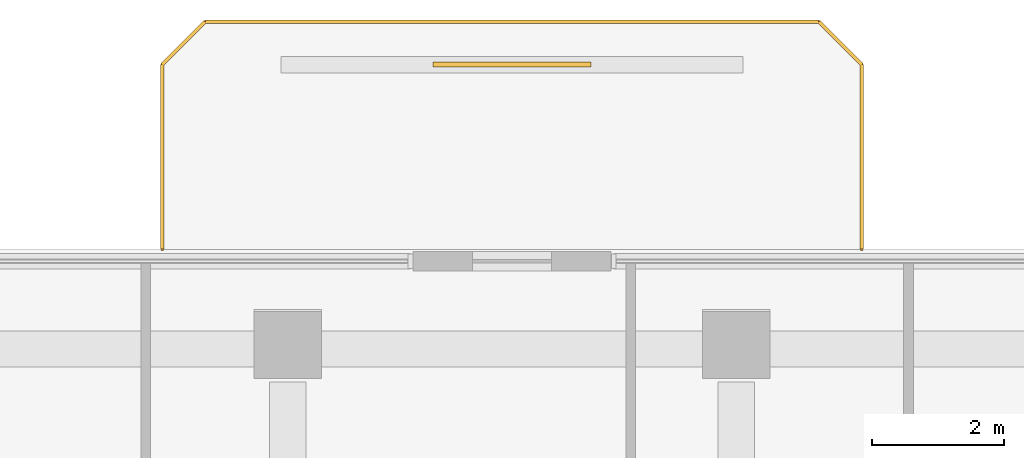
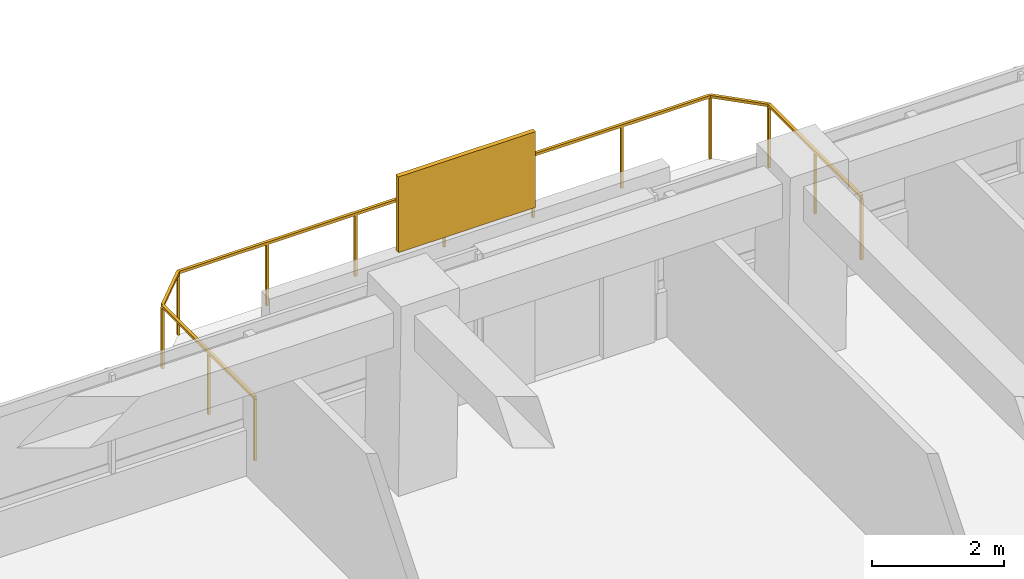
# One storey, part 13 of 13: 1 railing, 1 shading device.
"""IFC4 building model written with IfcOpenShell, lengths in metres."""

from ifc_helpers import new_model, si_unit, derived_unit, direction, frame, origin, origin_2d, place, context, subcontext, project, spatial, rectangle, extrude, material, layer, layer_set, type_object, element, save


model = new_model("IFC4")

# Units and contexts
model_context = context("Model", 3, precision=1e-05, world=origin(), true_north=direction((0.0, 1.0)))
body_context = subcontext(model_context, "Body", "Model", "MODEL_VIEW")
ifc_project = project(units=[si_unit("LENGTHUNIT", "METRE"), si_unit("AREAUNIT", "SQUARE_METRE"), si_unit("VOLUMEUNIT", "CUBIC_METRE"), si_unit("PLANEANGLEUNIT", "RADIAN"), si_unit("MASSUNIT", "GRAM", prefix="KILO"), derived_unit("THERMALTRANSMITTANCEUNIT", [(si_unit("POWERUNIT", "WATT"), 1), (si_unit("LENGTHUNIT", "METRE"), -2), (si_unit("THERMODYNAMICTEMPERATUREUNIT", "KELVIN"), -1)])], contexts=[model_context])

# Site, building, storey
site_placement = place(None, origin())
site = spatial("IfcSite", under=ifc_project, at=site_placement, CompositionType="ELEMENT")
building_placement = place(site_placement, origin())
building = spatial("IfcBuilding", under=site, at=building_placement, Name="Koralith Skygarden Medical Center", CompositionType="ELEMENT")
storey_placement = place(building_placement, frame((0.0, 0.0, 88.3798828125)))
storey = spatial("IfcBuildingStorey", under=building, at=storey_placement, Name="L22", CompositionType="ELEMENT", Elevation=88.3798828125)

# Railing
ifc_material_1 = material(Name="Steel ASTM A500 Grade C", Category="steel")
railing_type = type_object("IfcRailingType", Name="Outdoor Terrace & Balcony Safety Guardrail 1180", PredefinedType="GUARDRAIL", material=ifc_material_1)
railing_placement = place(storey_placement, frame((42.300048828125, 48.300048828125, 0.0)))
element("IfcRailing", 1, at=railing_placement, inside=storey, type_object=railing_type, Name="L22 N Balcony Perimeter Guardrail", PredefinedType="GUARDRAIL", context=body_context, shape_type="SweptSolid", body=[
    extrude(rectangle(XDim=0.050048828125, YDim=0.050048828125, at=origin_2d()), frame((0.0, 0.001953125, 1.15478515625), z_axis=(0.0, 1.0, 0.0), x_axis=(-1.0, 0.0, 0.0)), (0.0, 0.0, 1.0), 2.796142578125),
    extrude(rectangle(XDim=0.050048828125, YDim=0.050048828125, at=origin_2d()), frame((-0.00146484375, 2.801513671875, 1.15478515625), z_axis=(-0.707239558722, 0.706973978714, 0.0), x_axis=(-0.706973978714, -0.707239558722, 0.0)), (0.0, 0.0, 1.0), 0.915283203125),
    extrude(rectangle(XDim=0.050048828125, YDim=0.050048828125, at=origin_2d()), frame((-0.652099609375, 3.449951171875, 1.15478515625), z_axis=(-1.0, 0.0, 0.0), x_axis=(0.0, -1.0, 0.0)), (0.0, 0.0, 1.0), 9.2958984375),
    extrude(rectangle(XDim=0.050048828125, YDim=0.050048828125, at=origin_2d()), frame((-9.951416015625, 3.448486328125, 1.15478515625), z_axis=(-0.707239558722, -0.706973978714, 0.0), x_axis=(0.706973978714, -0.707239558722, 0.0)), (0.0, 0.0, 1.0), 0.915283203125),
    extrude(rectangle(XDim=0.050048828125, YDim=0.050048828125, at=origin_2d()), frame((-10.60009765625, 2.798095703125, 1.15478515625), z_axis=(0.0, -1.0, 0.0), x_axis=(1.0, 0.0, 0.0)), (0.0, 0.0, 1.0), 2.796142578125),
    extrude(rectangle(XDim=0.0419921875, YDim=0.0419921875, at=origin_2d()), origin(), (0.0, 0.0, 1.0), 1.1279296875),
    extrude(rectangle(XDim=0.0419921875, YDim=0.0419921875, at=origin_2d()), frame((0.0, 1.39990234375, 0.0)), (0.0, 0.0, 1.0), 1.1279296875),
    extrude(rectangle(XDim=0.0419921875, YDim=0.0419921875, at=origin_2d()), frame((0.0, 2.800048828125, 0.0)), (0.0, 0.0, 1.0), 1.1279296875),
    extrude(rectangle(XDim=0.0419921875, YDim=0.0419921875, at=origin_2d()), frame((-0.650146484375, 3.449951171875, 0.0)), (0.0, 0.0, 1.0), 1.1279296875),
    extrude(rectangle(XDim=0.0419921875, YDim=0.0419921875, at=origin_2d()), frame((-2.2001953125, 3.449951171875, 0.0)), (0.0, 0.0, 1.0), 1.1279296875),
    extrude(rectangle(XDim=0.0419921875, YDim=0.0419921875, at=origin_2d()), frame((-3.75, 3.449951171875, 0.0)), (0.0, 0.0, 1.0), 1.1279296875),
    extrude(rectangle(XDim=0.0419921875, YDim=0.0419921875, at=origin_2d()), frame((-5.300048828125, 3.449951171875, 0.0)), (0.0, 0.0, 1.0), 1.1279296875),
    extrude(rectangle(XDim=0.0419921875, YDim=0.0419921875, at=origin_2d()), frame((-6.85009765625, 3.449951171875, 0.0)), (0.0, 0.0, 1.0), 1.1279296875),
    extrude(rectangle(XDim=0.0419921875, YDim=0.0419921875, at=origin_2d()), frame((-8.39990234375, 3.449951171875, 0.0)), (0.0, 0.0, 1.0), 1.1279296875),
    extrude(rectangle(XDim=0.0419921875, YDim=0.0419921875, at=origin_2d()), frame((-9.949951171875, 3.449951171875, 0.0)), (0.0, 0.0, 1.0), 1.1279296875),
    extrude(rectangle(XDim=0.0419921875, YDim=0.0419921875, at=origin_2d()), frame((-10.60009765625, 2.800048828125, 0.0)), (0.0, 0.0, 1.0), 1.1279296875),
    extrude(rectangle(XDim=0.0419921875, YDim=0.0419921875, at=origin_2d()), frame((-10.60009765625, 1.39990234375, 0.0)), (0.0, 0.0, 1.0), 1.1279296875),
    extrude(rectangle(XDim=0.0419921875, YDim=0.0419921875, at=origin_2d()), frame((-10.60009765625, 0.0, 0.0)), (0.0, 0.0, 1.0), 1.1279296875),
])

# Shading device
ifc_material_2 = material(Name="Aluminium 6063-T6", Category="aluminium")
ifc_layer = layer(ifc_material_2, 0.080078125)
ifc_layer_set = layer_set([ifc_layer], Name="Aluminium 6063-T6")
shading_device_type = type_object("IfcShadingDeviceType", Name="Perforated Biophilic Balcony Trellis Screen", PredefinedType="USERDEFINED", material=ifc_layer_set)
shading_device_placement = place(storey_placement, frame((37.0, 51.10009765625, 0.72021484375), z_axis=(0.0, 0.0, 1.0), x_axis=(1.0, 0.0, 0.0)))
element("IfcShadingDevice", 2, at=shading_device_placement, inside=storey, type_object=shading_device_type, Name="L22 N Biophilic Balcony Trellis Screen", ObjectType="HURRICANE SCREEN", PredefinedType="USERDEFINED", context=body_context, shape_type="SweptSolid", body=[
    extrude(rectangle(XDim=2.39990234375, YDim=0.080078125, at=origin_2d()), origin(), (0.0, 0.0, 1.0), 1.39990234375),
])

save(model, "model.ifc")
